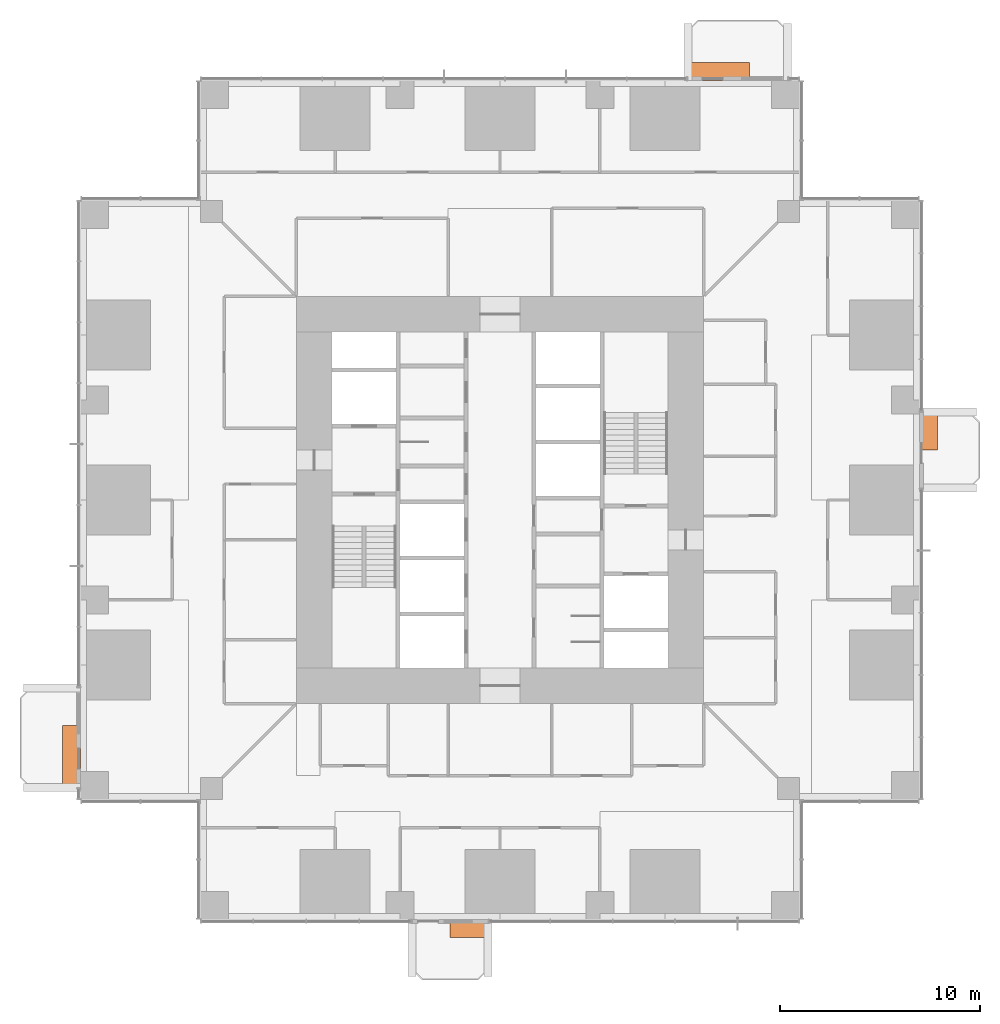
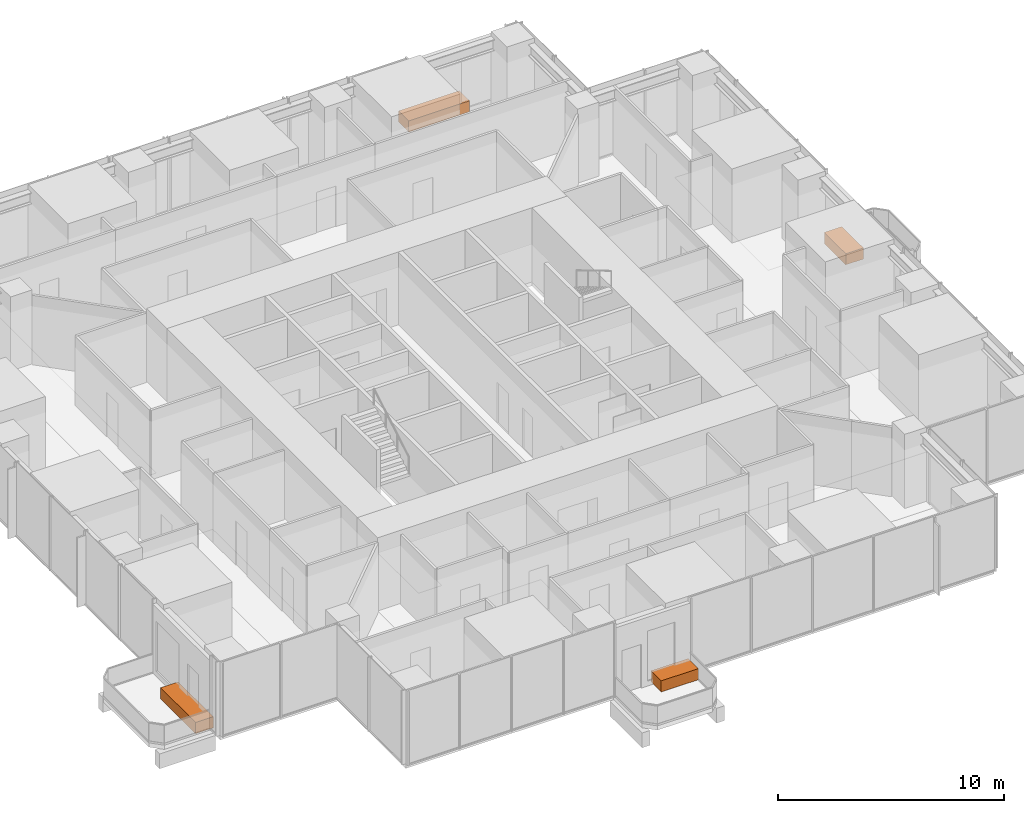
# One storey, part 18 of 18: 4 proxies.
"""IFC4 building model written with IfcOpenShell, lengths in metres."""

from ifc_helpers import new_model, si_unit, direction, frame, origin, origin_2d, place, context, subcontext, project, spatial, rectangle, extrude, element, save


model = new_model("IFC4")

# Units and contexts
model_context = context("Model", 3, precision=1e-05, world=origin(), true_north=direction((0.0, 1.0)))
body_context = subcontext(model_context, "Body", "Model", "MODEL_VIEW")
ifc_project = project(units=[si_unit("LENGTHUNIT", "METRE"), si_unit("AREAUNIT", "SQUARE_METRE"), si_unit("VOLUMEUNIT", "CUBIC_METRE"), si_unit("PLANEANGLEUNIT", "RADIAN"), si_unit("MASSUNIT", "GRAM", prefix="KILO")], contexts=[model_context])

# Site, building, storey
site_placement = place(None, origin())
site = spatial("IfcSite", under=ifc_project, at=site_placement, CompositionType="ELEMENT")
building_placement = place(site_placement, origin())
building = spatial("IfcBuilding", under=site, at=building_placement, Name="Svetlomir Tower", CompositionType="ELEMENT")
storey_placement = place(building_placement, frame((0.0, 0.0, 54.5)))
storey = spatial("IfcBuildingStorey", under=building, at=storey_placement, Name="L12", CompositionType="ELEMENT", Elevation=54.5)

# Proxies
proxy_1_placement = place(storey_placement, frame((19.449951171875, -0.449951171875, 0.0400390625), z_axis=(0.0, 0.0, 1.0), x_axis=(1.0, 0.0, 0.0)))
element("IfcBuildingElementProxy", 1, at=proxy_1_placement, inside=storey, Name="Tree planter S L12", ObjectType="PLANTER", PredefinedType="USERDEFINED", context=body_context, shape_type="SweptSolid", body=[
    extrude(rectangle(XDim=1.89990234375, YDim=0.89990234375, at=origin_2d()), origin(), (0.0, 0.0, 1.0), 0.60009765625),
])
proxy_2_placement = place(storey_placement, frame((42.449951171875, 24.449951171875, 0.0400390625), z_axis=(0.0, 0.0, 1.0), x_axis=(1.0, 0.0, 0.0)))
element("IfcBuildingElementProxy", 2, at=proxy_2_placement, inside=storey, Name="Tree planter E L12", ObjectType="PLANTER", PredefinedType="USERDEFINED", context=body_context, shape_type="SweptSolid", body=[
    extrude(rectangle(XDim=0.89990234375, YDim=1.89990234375, at=origin_2d()), origin(), (0.0, 0.0, 1.0), 0.60009765625),
])
proxy_3_placement = place(storey_placement, frame((31.949951171875, 42.449951171875, 0.0400390625), z_axis=(0.0, 0.0, 1.0), x_axis=(1.0, 0.0, 0.0)))
element("IfcBuildingElementProxy", 3, at=proxy_3_placement, inside=storey, Name="Tree planter N L12", ObjectType="PLANTER", PredefinedType="USERDEFINED", context=body_context, shape_type="SweptSolid", body=[
    extrude(rectangle(XDim=3.10009765625, YDim=0.89990234375, at=origin_2d()), origin(), (0.0, 0.0, 1.0), 0.60009765625),
])
proxy_4_placement = place(storey_placement, frame((-0.449951171875, 8.14990234375, 0.0400390625), z_axis=(0.0, 0.0, 1.0), x_axis=(1.0, 0.0, 0.0)))
element("IfcBuildingElementProxy", 4, at=proxy_4_placement, inside=storey, Name="Tree planter W L12", ObjectType="PLANTER", PredefinedType="USERDEFINED", context=body_context, shape_type="SweptSolid", body=[
    extrude(rectangle(XDim=0.89990234375, YDim=3.10009765625, at=origin_2d()), origin(), (0.0, 0.0, 1.0), 0.60009765625),
])

save(model, "model.ifc")
